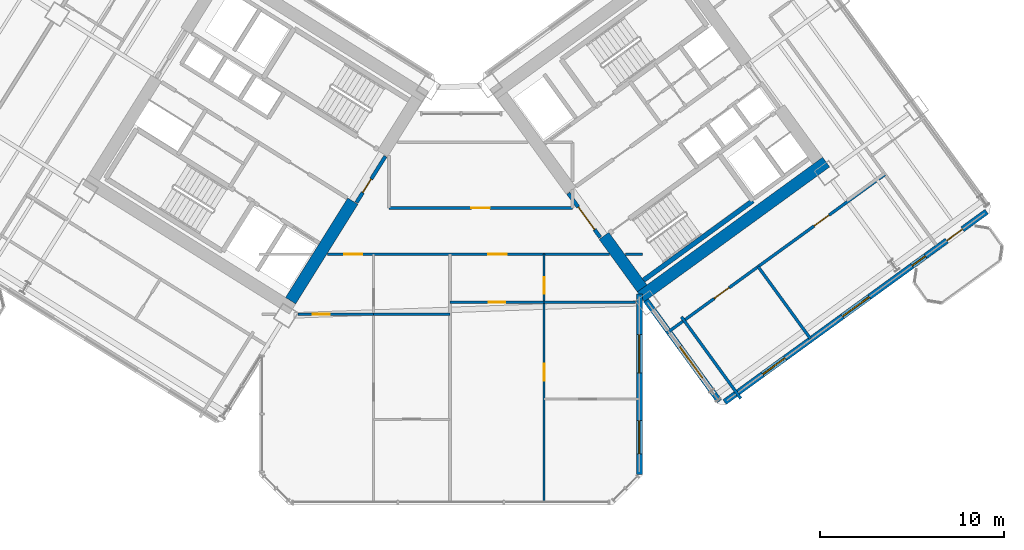
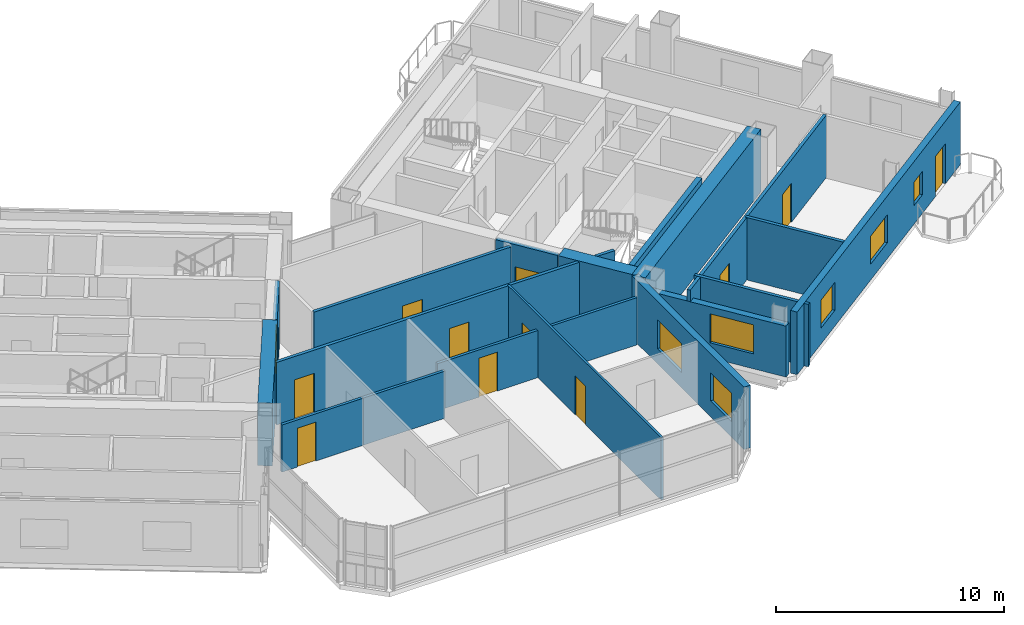
# One storey, part 17 of 28: 20 walls, 12 doors, 6 windows, 18 openings.
"""IFC4 building model written with IfcOpenShell, lengths in metres."""

from ifc_helpers import new_model, si_unit, direction, frame, frame_2d, origin, place, context, subcontext, project, spatial, rectangle, extrude, source, transform, mapped, material, layer, layer_set, type_object, element, fill, save


model = new_model("IFC4")

# Units and contexts
model_context = context("Model", 3, precision=1e-05, world=origin(), true_north=direction((0.0, 1.0)))
body_context = subcontext(model_context, "Body", "Model", "MODEL_VIEW")
ifc_project = project(units=[si_unit("LENGTHUNIT", "METRE"), si_unit("AREAUNIT", "SQUARE_METRE"), si_unit("VOLUMEUNIT", "CUBIC_METRE"), si_unit("PLANEANGLEUNIT", "RADIAN"), si_unit("MASSUNIT", "GRAM", prefix="KILO")], contexts=[model_context])

# Site, building, storey
site_placement = place(None, origin())
site = spatial("IfcSite", under=ifc_project, at=site_placement, CompositionType="ELEMENT")
building_placement = place(site_placement, origin())
building = spatial("IfcBuilding", under=site, at=building_placement, Name="Tlacorven Tower", CompositionType="ELEMENT")
storey_placement = place(building_placement, frame((0.0, 0.0, 34.800048828125)))
storey = spatial("IfcBuildingStorey", under=building, at=storey_placement, Name="L08", CompositionType="ELEMENT", Elevation=34.800048828125)

# Walls
ifc_material_1 = material(Name="Concrete C60/75", Category="concrete")
ifc_layer_1 = layer(ifc_material_1, 0.64990234375)
ifc_layer_set_1 = layer_set([ifc_layer_1], Name="Concrete C60/75")
wall_type_1 = type_object("IfcWallType", Name="WL-COR-650", PredefinedType="SHEAR", material=ifc_layer_set_1)
wall_1_placement = place(storey_placement, frame((36.683349609375, 18.30419921875, 0.0), z_axis=(0.0, 0.0, 1.0), x_axis=(-0.529899109053, -0.848060690178, 0.0)))
element("IfcWall", 1, at=wall_1_placement, inside=storey, type_object=wall_type_1, Name="L08 W core end wall E1.2", PredefinedType="SHEAR", context=body_context, shape_type="SweptSolid", body=[
    extrude(rectangle(XDim=6.375244140625, YDim=0.64990234375, at=frame_2d((3.1875, 0.0))), origin(), (0.0, 0.0, 1.0), 3.349853515625),
])
wall_2_placement = place(storey_placement, frame((52.318359375, 13.1103515625, 0.0), z_axis=(0.0, 0.0, 1.0), x_axis=(0.809019445368, 0.587781878776, 0.0)))
element("IfcWall", 2, at=wall_2_placement, inside=storey, type_object=wall_type_1, Name="L08 E core shear wall S1", PredefinedType="SHEAR", context=body_context, shape_type="SweptSolid", body=[
    extrude(rectangle(XDim=12.43994140625, YDim=0.64990234375, at=frame_2d((6.219970703125, 0.0))), origin(), (0.0, 0.0, 1.0), 3.349853515625),
])
wall_3_placement = place(storey_placement, frame((52.390380859375, 13.564208984375, 0.0), z_axis=(0.0, 0.0, 1.0), x_axis=(-0.58779688989, 0.809008539037, 0.0)))
element("IfcWall", 3, at=wall_3_placement, inside=storey, type_object=wall_type_1, Name="L08 E core end wall E1.1", PredefinedType="SHEAR", context=body_context, shape_type="SweptSolid", body=[
    extrude(rectangle(XDim=3.525146484375, YDim=0.64990234375, at=frame_2d((1.7626953125, 0.0))), origin(), (0.0, 0.0, 1.0), 3.349853515625),
])

# Wall, openings, doors
ifc_material_2 = material(Name="Gypsum plasterboard acoustic partition", Category="gypsum")
ifc_layer_2 = layer(ifc_material_2, 0.159912109375)
ifc_layer_set_2 = layer_set([ifc_layer_2], Name="Gypsum plasterboard acoustic partition")
wall_type_2 = type_object("IfcWallType", Name="WL-DEM-160", PredefinedType="PARTITIONING", material=ifc_layer_set_2)
wall_4_placement = place(storey_placement, frame((35.29638671875, 15.419921875, 0.0), z_axis=(0.0, 0.0, 1.0), x_axis=(1.0, 0.0, 0.0)))
wall_4 = element("IfcWall", 4, at=wall_4_placement, inside=storey, type_object=wall_type_2, Name="L08 Knuckle Corridor South Wall", PredefinedType="PARTITIONING", context=body_context, shape_type="SweptSolid", body=[
    extrude(rectangle(XDim=15.310546875, YDim=0.159912109375, at=frame_2d((7.6552734375, 0.0))), origin(), (0.0, 0.0, 1.0), 3.33984375),
])
opening_1_placement = place(wall_4_placement, frame((0.91015625, 0.0, 0.0)))
opening_1 = element("IfcOpeningElement", 5, at=opening_1_placement, cuts=wall_4, Name="Opening D11", PredefinedType="OPENING", context=body_context, shape_type="SweptSolid", body=[
    extrude(rectangle(XDim=1.0, YDim=2.10009765625, at=frame_2d((0.5, 1.050048828125))), frame((0.0, 0.08984375, 0.0), z_axis=(0.0, -1.0, 0.0), x_axis=(1.0, 0.0, 0.0)), (0.0, 0.0, 1.0), 0.179931640625),
])
opening_2_placement = place(wall_4_placement, frame((8.73974609375, 0.0, 0.0)))
opening_2 = element("IfcOpeningElement", 6, at=opening_2_placement, cuts=wall_4, Name="Opening D11", PredefinedType="OPENING", context=body_context, shape_type="SweptSolid", body=[
    extrude(rectangle(XDim=1.0, YDim=2.10009765625, at=frame_2d((0.5, 1.050048828125))), frame((0.0, 0.08984375, 0.0), z_axis=(0.0, -1.0, 0.0), x_axis=(1.0, 0.0, 0.0)), (0.0, 0.0, 1.0), 0.179931640625),
])
ifc_material_3 = material(Name="Fire-rated steel door assembly", Category="steel")
door_type_1 = type_object("IfcDoorType", Name="DR-FLT-FD60-1000", OperationType="NOTDEFINED", PredefinedType="DOOR", material=ifc_material_3)
shared_shape_1 = source(origin(), body_context, "Body", "SweptSolid", [
    extrude(rectangle(XDim=1.0, YDim=2.10009765625, at=frame_2d((0.5, 1.050048828125))), frame((0.0, 0.02490234375, 0.0), z_axis=(0.0, -1.0, 0.0), x_axis=(1.0, 0.0, 0.0)), (0.0, 0.0, 1.0), 0.050048828125),
])
door_1_placement = place(opening_1_placement, frame((1.0, 0.0, 0.0), z_axis=(0.0, 0.0, 1.0), x_axis=(-1.0, 0.0, 0.0)))
door_1 = element("IfcDoor", 7, at=door_1_placement, inside=storey, type_object=door_type_1, Name="L08 door 043", OperationType="SINGLE_SWING_LEFT", OverallHeight=2.10009765625, OverallWidth=1.0, PredefinedType="DOOR", context=body_context, shape_type="MappedRepresentation", body=[
    mapped(shared_shape_1, transform((0.0, 0.0, 0.0), scale=1.0)),
])
fill(opening_1, door_1)
door_2_placement = place(opening_2_placement, frame((1.0, 0.0, 0.0), z_axis=(0.0, 0.0, 1.0), x_axis=(-1.0, 0.0, 0.0)))
door_2 = element("IfcDoor", 8, at=door_2_placement, inside=storey, type_object=door_type_1, Name="L08 door 048", OperationType="SINGLE_SWING_RIGHT", OverallHeight=2.10009765625, OverallWidth=1.0, PredefinedType="DOOR", context=body_context, shape_type="MappedRepresentation", body=[
    mapped(shared_shape_1, transform((0.0, 0.0, 0.0), scale=1.0)),
])
fill(opening_2, door_2)

# Wall
wall_5_placement = place(storey_placement, frame((51.477294921875, 15.419921875, 0.0), z_axis=(0.0, 0.0, 1.0), x_axis=(1.0, 0.0, 0.0)))
element("IfcWall", 9, at=wall_5_placement, inside=storey, type_object=wall_type_2, Name="L08 Knuckle Corridor South Wall", PredefinedType="PARTITIONING", context=body_context, shape_type="SweptSolid", body=[
    extrude(rectangle(XDim=0.922607421875, YDim=0.159912109375, at=frame_2d((0.46142578125, 0.0))), origin(), (0.0, 0.0, 1.0), 3.33984375),
])

# Wall, opening, door
wall_6_placement = place(storey_placement, frame((38.64990234375, 17.929931640625, 0.0), z_axis=(0.0, 0.0, 1.0), x_axis=(1.0, 0.0, 0.0)))
wall_6 = element("IfcWall", 10, at=wall_6_placement, inside=storey, type_object=wall_type_2, Name="L08 partition 72", PredefinedType="PARTITIONING", context=body_context, shape_type="SweptSolid", body=[
    extrude(rectangle(XDim=9.9501953125, YDim=0.159912109375, at=frame_2d((4.97509765625, 0.0))), origin(), (0.0, 0.0, 1.0), 3.33984375),
])
opening_3_placement = place(wall_6_placement, frame((4.47509765625, 0.0, 0.0)))
opening_3 = element("IfcOpeningElement", 11, at=opening_3_placement, cuts=wall_6, Name="Opening D11", PredefinedType="OPENING", context=body_context, shape_type="SweptSolid", body=[
    extrude(rectangle(XDim=1.0, YDim=2.10009765625, at=frame_2d((0.5, 1.050048828125))), frame((0.0, 0.08984375, 0.0), z_axis=(0.0, -1.0, 0.0), x_axis=(1.0, 0.0, 0.0)), (0.0, 0.0, 1.0), 0.179931640625),
])
door_3_placement = place(opening_3_placement, origin())
door_3 = element("IfcDoor", 12, at=door_3_placement, inside=storey, type_object=door_type_1, Name="L08 door 038", OperationType="SINGLE_SWING_RIGHT", OverallHeight=2.10009765625, OverallWidth=1.0, PredefinedType="DOOR", context=body_context, shape_type="MappedRepresentation", body=[
    mapped(shared_shape_1, transform((0.0, 0.0, 0.0), scale=1.0)),
])
fill(opening_3, door_3)

# Wall, openings, doors
wall_7_placement = place(storey_placement, frame((53.70458984375, 11.1259765625, 0.0), z_axis=(0.0, 0.0, 1.0), x_axis=(0.809014504436, 0.587788679384, 0.0)))
wall_7 = element("IfcWall", 13, at=wall_7_placement, inside=storey, type_object=wall_type_2, Name="L08 partition 95", PredefinedType="PARTITIONING", context=body_context, shape_type="SweptSolid", body=[
    extrude(rectangle(XDim=14.669921875, YDim=0.159912109375, at=frame_2d((7.3349609375, 0.0))), origin(), (0.0, 0.0, 1.0), 3.33984375),
])
opening_4_placement = place(wall_7_placement, frame((3.215087890625, 0.0, 0.0)))
opening_4 = element("IfcOpeningElement", 14, at=opening_4_placement, cuts=wall_7, Name="Opening D11", PredefinedType="OPENING", context=body_context, shape_type="SweptSolid", body=[
    extrude(rectangle(XDim=1.0, YDim=2.10009765625, at=frame_2d((0.5, 1.050048828125))), frame((0.0, 0.08984375, 0.0), z_axis=(0.0, -1.0, 0.0), x_axis=(1.0, 0.0, 0.0)), (0.0, 0.0, 1.0), 0.179931640625),
])
opening_5_placement = place(wall_7_placement, frame((9.9150390625, 0.0, 0.0)))
opening_5 = element("IfcOpeningElement", 15, at=opening_5_placement, cuts=wall_7, Name="Opening D11", PredefinedType="OPENING", context=body_context, shape_type="SweptSolid", body=[
    extrude(rectangle(XDim=1.0, YDim=2.10009765625, at=frame_2d((0.5, 1.050048828125))), frame((0.0, 0.08984375, 0.0), z_axis=(0.0, -1.0, 0.0), x_axis=(1.0, 0.0, 0.0)), (0.0, 0.0, 1.0), 0.179931640625),
])
door_4_placement = place(opening_4_placement, origin())
door_4 = element("IfcDoor", 16, at=door_4_placement, inside=storey, type_object=door_type_1, Name="L08 door 056", OperationType="SINGLE_SWING_RIGHT", OverallHeight=2.10009765625, OverallWidth=1.0, PredefinedType="DOOR", context=body_context, shape_type="MappedRepresentation", body=[
    mapped(shared_shape_1, transform((0.0, 0.0, 0.0), scale=1.0)),
])
fill(opening_4, door_4)
door_5_placement = place(opening_5_placement, origin())
door_5 = element("IfcDoor", 17, at=door_5_placement, inside=storey, type_object=door_type_1, Name="L08 door 057", OperationType="SINGLE_SWING_LEFT", OverallHeight=2.10009765625, OverallWidth=1.0, PredefinedType="DOOR", context=body_context, shape_type="MappedRepresentation", body=[
    mapped(shared_shape_1, transform((0.0, 0.0, 0.0), scale=1.0)),
])
fill(opening_5, door_5)

# Walls
wall_8_placement = place(storey_placement, frame((57.747314453125, 7.586181640625, 0.0), z_axis=(0.0, 0.0, 1.0), x_axis=(-0.587784893399, 0.809017255126, 0.0)))
element("IfcWall", 18, at=wall_8_placement, inside=storey, type_object=wall_type_2, Name="L08 EC West Throat Wall", PredefinedType="PARTITIONING", context=body_context, shape_type="SweptSolid", body=[
    extrude(rectangle(XDim=5.480224609375, YDim=0.159912109375, at=frame_2d((2.740234375, 0.0))), origin(), (0.0, 0.0, 1.0), 3.33984375),
])
wall_9_placement = place(storey_placement, frame((61.538818359375, 10.822998046875, 0.0), z_axis=(0.0, 0.0, 1.0), x_axis=(-0.587785532001, 0.809016791155, 0.0)))
element("IfcWall", 19, at=wall_9_placement, inside=storey, type_object=wall_type_2, Name="L08 EC Demising Wall 1", PredefinedType="PARTITIONING", context=body_context, shape_type="SweptSolid", body=[
    extrude(rectangle(XDim=4.85009765625, YDim=0.159912109375, at=frame_2d((2.425048828125, 0.0))), origin(), (0.0, 0.0, 1.0), 3.33984375),
])

# Wall, openings, door, windows
ifc_material_4 = material(Name="Precast concrete C45/55", Category="concrete")
ifc_layer_3 = layer(ifc_material_4, 0.320068359375)
ifc_layer_set_3 = layer_set([ifc_layer_3], Name="Precast concrete C45/55")
wall_type_3 = type_object("IfcWallType", Name="WL-EXT-320", PredefinedType="STANDARD", material=ifc_layer_set_3)
wall_10_placement = place(storey_placement, frame((71.097900390625, 17.73095703125, 0.0), z_axis=(0.0, 0.0, 1.0), x_axis=(-0.809021120468, -0.587779573171, 0.0)))
wall_10 = element("IfcWall", 20, at=wall_10_placement, inside=storey, type_object=wall_type_3, Name="L08 Masonry-Frame Recessed Facade Wall 6", PredefinedType="STANDARD", context=body_context, shape_type="SweptSolid", body=[
    extrude(rectangle(XDim=17.587646484375, YDim=0.320068359375, at=frame_2d((8.7939453125, 0.0))), origin(), (0.0, 0.0, 1.0), 3.349853515625),
])
opening_6_placement = place(wall_10_placement, frame((1.623779296875, 0.0, 0.0)))
opening_6 = element("IfcOpeningElement", 21, at=opening_6_placement, cuts=wall_10, Name="Opening D06", PredefinedType="OPENING", context=body_context, shape_type="SweptSolid", body=[
    extrude(rectangle(XDim=1.050048828125, YDim=2.14990234375, at=frame_2d((0.52490234375, 1.074951171875))), frame((0.0, 0.169921875, 0.0), z_axis=(0.0, -1.0, 0.0), x_axis=(1.0, 0.0, 0.0)), (0.0, 0.0, 1.0), 0.340087890625),
])
opening_7_placement = place(wall_10_placement, frame((4.103759765625, 0.0, 1.0)))
opening_7 = element("IfcOpeningElement", 22, at=opening_7_placement, cuts=wall_10, Name="Opening WN05", PredefinedType="OPENING", context=body_context, shape_type="SweptSolid", body=[
    extrude(rectangle(XDim=0.89990234375, YDim=1.25, at=frame_2d((0.449951171875, 0.625))), frame((0.0, 0.169921875, 0.0), z_axis=(0.0, -1.0, 0.0), x_axis=(1.0, 0.0, 0.0)), (0.0, 0.0, 1.0), 0.340087890625),
])
opening_8_placement = place(wall_10_placement, frame((7.878662109375, 0.0, 0.85009765625)))
opening_8 = element("IfcOpeningElement", 23, at=opening_8_placement, cuts=wall_10, Name="Opening WN01", PredefinedType="OPENING", context=body_context, shape_type="SweptSolid", body=[
    extrude(rectangle(XDim=1.800048828125, YDim=1.5, at=frame_2d((0.89990234375, 0.75))), frame((0.0, 0.169921875, 0.0), z_axis=(0.0, -1.0, 0.0), x_axis=(1.0, 0.0, 0.0)), (0.0, 0.0, 1.0), 0.340087890625),
])
opening_9_placement = place(wall_10_placement, frame((13.52880859375, 0.0, 0.85009765625)))
opening_9 = element("IfcOpeningElement", 24, at=opening_9_placement, cuts=wall_10, Name="Opening WN02", PredefinedType="OPENING", context=body_context, shape_type="SweptSolid", body=[
    extrude(rectangle(XDim=1.5, YDim=1.5, at=frame_2d((0.75, 0.75))), frame((0.0, 0.169921875, 0.0), z_axis=(0.0, -1.0, 0.0), x_axis=(1.0, 0.0, 0.0)), (0.0, 0.0, 1.0), 0.340087890625),
])
ifc_material_5 = material(Name="Powder-coated aluminium and timber door", Category="wood")
door_type_2 = type_object("IfcDoorType", Name="DR-EXT-BALC-1050", OperationType="NOTDEFINED", PredefinedType="DOOR", material=ifc_material_5)
shared_shape_2 = source(origin(), body_context, "Body", "SweptSolid", [
    extrude(rectangle(XDim=1.050048828125, YDim=2.14990234375, at=frame_2d((0.52490234375, 1.074951171875))), frame((0.0, 0.02490234375, 0.0), z_axis=(0.0, -1.0, 0.0), x_axis=(1.0, 0.0, 0.0)), (0.0, 0.0, 1.0), 0.050048828125),
])
door_6_placement = place(opening_6_placement, origin())
door_6 = element("IfcDoor", 25, at=door_6_placement, inside=storey, type_object=door_type_2, Name="L08 Outdoor Access Door BAL-L08-E-OUT", OperationType="SINGLE_SWING_LEFT", OverallHeight=2.14990234375, OverallWidth=1.050048828125, PredefinedType="DOOR", context=body_context, shape_type="MappedRepresentation", body=[
    mapped(shared_shape_2, transform((0.0, 0.0, 0.0), scale=1.0)),
])
fill(opening_6, door_6)
ifc_material_6 = material(Name="Dark solar low-E double glazing in anodised aluminium frame", Category="aluminium")
window_type_1 = type_object("IfcWindowType", Name="WN-APT-1800X1650", PartitioningType="SINGLE_PANEL", PredefinedType="WINDOW", material=ifc_material_6)
shared_shape_3 = source(origin(), body_context, "Body", "SweptSolid", [
    extrude(rectangle(XDim=1.800048828125, YDim=1.5, at=frame_2d((0.89990234375, 0.75))), frame((0.0, 0.030029296875, 0.0), z_axis=(0.0, -1.0, 0.0), x_axis=(1.0, 0.0, 0.0)), (0.0, 0.0, 1.0), 0.06005859375),
])
window_1_placement = place(opening_8_placement, origin())
window_1 = element("IfcWindow", 26, at=window_1_placement, inside=storey, type_object=window_type_1, Name="L08 Recessed Masonry-Frame Window L08-06.2", OverallHeight=1.5, OverallWidth=1.800048828125, PartitioningType="SINGLE_PANEL", PredefinedType="WINDOW", context=body_context, shape_type="MappedRepresentation", body=[
    mapped(shared_shape_3, transform((0.0, 0.0, 0.0), scale=1.0)),
])
fill(opening_8, window_1)
window_type_2 = type_object("IfcWindowType", Name="WN-APT-1500X1650", PartitioningType="SINGLE_PANEL", PredefinedType="WINDOW", material=ifc_material_6)
shared_shape_4 = source(origin(), body_context, "Body", "SweptSolid", [
    extrude(rectangle(XDim=1.5, YDim=1.5, at=frame_2d((0.75, 0.75))), frame((0.0, 0.030029296875, 0.0), z_axis=(0.0, -1.0, 0.0), x_axis=(1.0, 0.0, 0.0)), (0.0, 0.0, 1.0), 0.06005859375),
])
window_2_placement = place(opening_9_placement, origin())
window_2 = element("IfcWindow", 27, at=window_2_placement, inside=storey, type_object=window_type_2, Name="L08 Recessed Masonry-Frame Window L08-06.3", OverallHeight=1.5, OverallWidth=1.5, PartitioningType="SINGLE_PANEL", PredefinedType="WINDOW", context=body_context, shape_type="MappedRepresentation", body=[
    mapped(shared_shape_4, transform((0.0, 0.0, 0.0), scale=1.0)),
])
fill(opening_9, window_2)
window_type_3 = type_object("IfcWindowType", Name="WN-APT-0900X1350", PartitioningType="SINGLE_PANEL", PredefinedType="WINDOW", material=ifc_material_6)
shared_shape_5 = source(origin(), body_context, "Body", "SweptSolid", [
    extrude(rectangle(XDim=0.89990234375, YDim=1.25, at=frame_2d((0.449951171875, 0.625))), frame((0.0, 0.030029296875, 0.0), z_axis=(0.0, -1.0, 0.0), x_axis=(1.0, 0.0, 0.0)), (0.0, 0.0, 1.0), 0.06005859375),
])
window_3_placement = place(opening_7_placement, origin())
window_3 = element("IfcWindow", 28, at=window_3_placement, inside=storey, type_object=window_type_3, Name="L08 Recessed Masonry-Frame Window L08-06.1", OverallHeight=1.25, OverallWidth=0.89990234375, PartitioningType="SINGLE_PANEL", PredefinedType="WINDOW", context=body_context, shape_type="MappedRepresentation", body=[
    mapped(shared_shape_5, transform((0.0, 0.0, 0.0), scale=1.0)),
])
fill(opening_7, window_3)

# Wall, opening, window
wall_11_placement = place(storey_placement, frame((56.5810546875, 7.43896484375, 0.0), z_axis=(0.0, 0.0, 1.0), x_axis=(-0.587785875463, 0.809016541614, 0.0)))
wall_11 = element("IfcWall", 29, at=wall_11_placement, inside=storey, type_object=wall_type_3, Name="L08 Masonry-Frame Recessed Facade Wall 7", PredefinedType="STANDARD", context=body_context, shape_type="SweptSolid", body=[
    extrude(rectangle(XDim=6.773681640625, YDim=0.320068359375, at=frame_2d((3.38671875, 0.0))), origin(), (0.0, 0.0, 1.0), 2.724853515625),
])
opening_10_placement = place(wall_11_placement, frame((1.55615234375, 0.0, 0.800048828125)))
opening_10 = element("IfcOpeningElement", 30, at=opening_10_placement, cuts=wall_11, Name="Opening WN04", PredefinedType="OPENING", context=body_context, shape_type="SweptSolid", body=[
    extrude(rectangle(XDim=2.10009765625, YDim=1.550048828125, at=frame_2d((1.050048828125, 0.77490234375))), frame((0.0, 0.169921875, 0.0), z_axis=(0.0, -1.0, 0.0), x_axis=(1.0, 0.0, 0.0)), (0.0, 0.0, 1.0), 0.340087890625),
])
window_type_4 = type_object("IfcWindowType", Name="WN-APT-2100X1750", PartitioningType="SINGLE_PANEL", PredefinedType="WINDOW", material=ifc_material_6)
shared_shape_6 = source(origin(), body_context, "Body", "SweptSolid", [
    extrude(rectangle(XDim=2.10009765625, YDim=1.550048828125, at=frame_2d((1.050048828125, 0.77490234375))), frame((0.0, 0.030029296875, 0.0), z_axis=(0.0, -1.0, 0.0), x_axis=(1.0, 0.0, 0.0)), (0.0, 0.0, 1.0), 0.06005859375),
])
window_4_placement = place(opening_10_placement, origin())
window_4 = element("IfcWindow", 31, at=window_4_placement, inside=storey, type_object=window_type_4, Name="L08 Recessed Masonry-Frame Window L08-07.1", OverallHeight=1.550048828125, OverallWidth=2.10009765625, PartitioningType="SINGLE_PANEL", PredefinedType="WINDOW", context=body_context, shape_type="MappedRepresentation", body=[
    mapped(shared_shape_6, transform((0.0, 0.0, 0.0), scale=1.0)),
])
fill(opening_10, window_4)

# Wall, openings, windows
wall_12_placement = place(storey_placement, frame((52.239990234375, 13.260986328125, 0.0), z_axis=(0.0, 0.0, 1.0), x_axis=(0.0, -1.0, 0.0)))
wall_12 = element("IfcWall", 32, at=wall_12_placement, inside=storey, type_object=wall_type_3, Name="L08 Masonry-Frame Recessed Facade Wall 8", PredefinedType="STANDARD", context=body_context, shape_type="SweptSolid", body=[
    extrude(rectangle(XDim=9.794677734375, YDim=0.320068359375, at=frame_2d((4.8974609375, 0.0))), origin(), (0.0, 0.0, 1.0), 3.349853515625),
])
opening_11_placement = place(wall_12_placement, frame((2.199462890625, 0.0, 0.800048828125)))
opening_11 = element("IfcOpeningElement", 33, at=opening_11_placement, cuts=wall_12, Name="Opening WN04", PredefinedType="OPENING", context=body_context, shape_type="SweptSolid", body=[
    extrude(rectangle(XDim=2.10009765625, YDim=1.550048828125, at=frame_2d((1.050048828125, 0.77490234375))), frame((0.0, 0.169921875, 0.0), z_axis=(0.0, -1.0, 0.0), x_axis=(1.0, 0.0, 0.0)), (0.0, 0.0, 1.0), 0.340087890625),
])
opening_12_placement = place(wall_12_placement, frame((6.880126953125, 0.0, 0.85009765625)))
opening_12 = element("IfcOpeningElement", 34, at=opening_12_placement, cuts=wall_12, Name="Opening WN01", PredefinedType="OPENING", context=body_context, shape_type="SweptSolid", body=[
    extrude(rectangle(XDim=1.800048828125, YDim=1.5, at=frame_2d((0.89990234375, 0.75))), frame((0.0, 0.169921875, 0.0), z_axis=(0.0, -1.0, 0.0), x_axis=(1.0, 0.0, 0.0)), (0.0, 0.0, 1.0), 0.340087890625),
])
window_5_placement = place(opening_11_placement, origin())
window_5 = element("IfcWindow", 35, at=window_5_placement, inside=storey, type_object=window_type_4, Name="L08 Recessed Masonry-Frame Window L08-08.1", OverallHeight=1.550048828125, OverallWidth=2.10009765625, PartitioningType="SINGLE_PANEL", PredefinedType="WINDOW", context=body_context, shape_type="MappedRepresentation", body=[
    mapped(shared_shape_6, transform((0.0, 0.0, 0.0), scale=1.0)),
])
fill(opening_11, window_5)
window_6_placement = place(opening_12_placement, origin())
window_6 = element("IfcWindow", 36, at=window_6_placement, inside=storey, type_object=window_type_1, Name="L08 Recessed Masonry-Frame Window L08-08.2", OverallHeight=1.5, OverallWidth=1.800048828125, PartitioningType="SINGLE_PANEL", PredefinedType="WINDOW", context=body_context, shape_type="MappedRepresentation", body=[
    mapped(shared_shape_3, transform((0.0, 0.0, 0.0), scale=1.0)),
])
fill(opening_12, window_6)

# Wall, openings, doors
ifc_material_7 = material(Name="Gypsum plasterboard partition", Category="gypsum")
ifc_layer_4 = layer(ifc_material_7, 0.110107421875)
ifc_layer_set_4 = layer_set([ifc_layer_4], Name="Gypsum plasterboard partition")
wall_type_4 = type_object("IfcWallType", Name="WL-INT-110", PredefinedType="PARTITIONING", material=ifc_layer_set_4)
wall_13_placement = place(storey_placement, frame((47.072021484375, 1.9599609375, 0.0), z_axis=(0.0, 0.0, 1.0), x_axis=(0.0, 1.0, 0.0)))
wall_13 = element("IfcWall", 37, at=wall_13_placement, inside=storey, type_object=wall_type_4, Name="L08 partition 82", PredefinedType="PARTITIONING", context=body_context, shape_type="SweptSolid", body=[
    extrude(rectangle(XDim=13.4599609375, YDim=0.110107421875, at=frame_2d((6.72998046875, 0.0))), origin(), (0.0, 0.0, 1.0), 3.33984375),
])
opening_13_placement = place(wall_13_placement, frame((6.60009765625, 0.0, 0.0)))
opening_13 = element("IfcOpeningElement", 38, at=opening_13_placement, cuts=wall_13, Name="Opening D12", PredefinedType="OPENING", context=body_context, shape_type="SweptSolid", body=[
    extrude(rectangle(XDim=0.919921875, YDim=2.080078125, at=frame_2d((0.4599609375, 1.0400390625))), frame((0.0, 0.06494140625, 0.0), z_axis=(0.0, -1.0, 0.0), x_axis=(1.0, 0.0, 0.0)), (0.0, 0.0, 1.0), 0.130126953125),
])
opening_14_placement = place(wall_13_placement, frame((11.320068359375, 0.0, 0.0)))
opening_14 = element("IfcOpeningElement", 39, at=opening_14_placement, cuts=wall_13, Name="Opening D13", PredefinedType="OPENING", context=body_context, shape_type="SweptSolid", body=[
    extrude(rectangle(XDim=0.8798828125, YDim=2.080078125, at=frame_2d((0.43994140625, 1.0400390625))), frame((0.0, 0.06494140625, 0.0), z_axis=(0.0, -1.0, 0.0), x_axis=(1.0, 0.0, 0.0)), (0.0, 0.0, 1.0), 0.130126953125),
])
door_type_3 = type_object("IfcDoorType", Name="DR-INT-WET-0880", OperationType="NOTDEFINED", PredefinedType="DOOR", material=ifc_material_5)
shared_shape_7 = source(origin(), body_context, "Body", "SweptSolid", [
    extrude(rectangle(XDim=0.8798828125, YDim=2.080078125, at=frame_2d((0.43994140625, 1.0400390625))), frame((0.0, 0.02490234375, 0.0), z_axis=(0.0, -1.0, 0.0), x_axis=(1.0, 0.0, 0.0)), (0.0, 0.0, 1.0), 0.050048828125),
])
door_7_placement = place(opening_14_placement, origin())
door_7 = element("IfcDoor", 40, at=door_7_placement, inside=storey, type_object=door_type_3, Name="L08 door 050", OperationType="SINGLE_SWING_RIGHT", OverallHeight=2.080078125, OverallWidth=0.8798828125, PredefinedType="DOOR", context=body_context, shape_type="MappedRepresentation", body=[
    mapped(shared_shape_7, transform((0.0, 0.0, 0.0), scale=1.0)),
])
fill(opening_14, door_7)
door_type_4 = type_object("IfcDoorType", Name="DR-INT-ROOM-0920", OperationType="NOTDEFINED", PredefinedType="DOOR", material=ifc_material_5)
shared_shape_8 = source(origin(), body_context, "Body", "SweptSolid", [
    extrude(rectangle(XDim=0.919921875, YDim=2.080078125, at=frame_2d((0.4599609375, 1.0400390625))), frame((0.0, 0.02490234375, 0.0), z_axis=(0.0, -1.0, 0.0), x_axis=(1.0, 0.0, 0.0)), (0.0, 0.0, 1.0), 0.050048828125),
])
door_8_placement = place(opening_13_placement, origin())
door_8 = element("IfcDoor", 41, at=door_8_placement, inside=storey, type_object=door_type_4, Name="L08 door 046", OperationType="SINGLE_SWING_RIGHT", OverallHeight=2.080078125, OverallWidth=0.919921875, PredefinedType="DOOR", context=body_context, shape_type="MappedRepresentation", body=[
    mapped(shared_shape_8, transform((0.0, 0.0, 0.0), scale=1.0)),
])
fill(opening_13, door_8)

# Wall, opening, door
ifc_material_8 = material(Name="Moisture-resistant gypsum plumbing wall", Category="gypsum")
ifc_layer_5 = layer(ifc_material_8, 0.139892578125)
ifc_layer_set_5 = layer_set([ifc_layer_5], Name="Moisture-resistant gypsum plumbing wall")
wall_type_5 = type_object("IfcWallType", Name="WL-PLM-140", PredefinedType="PLUMBINGWALL", material=ifc_layer_set_5)
wall_14_placement = place(storey_placement, frame((33.701904296875, 12.169921875, 0.0), z_axis=(0.0, 0.0, 1.0), x_axis=(1.0, 0.0, 0.0)))
wall_14 = element("IfcWall", 42, at=wall_14_placement, inside=storey, type_object=wall_type_5, Name="L08 partition 79", PredefinedType="PLUMBINGWALL", context=body_context, shape_type="SweptSolid", body=[
    extrude(rectangle(XDim=4.111083984375, YDim=0.139892578125, at=frame_2d((2.0556640625, 0.0))), origin(), (0.0, 0.0, 1.0), 2.52490234375),
])
opening_15_placement = place(wall_14_placement, frame((0.794677734375, 0.0, 0.0)))
opening_15 = element("IfcOpeningElement", 43, at=opening_15_placement, cuts=wall_14, Name="Opening D12", PredefinedType="OPENING", context=body_context, shape_type="SweptSolid", body=[
    extrude(rectangle(XDim=0.919921875, YDim=2.080078125, at=frame_2d((0.4599609375, 1.0400390625))), frame((0.0, 0.080078125, 0.0), z_axis=(0.0, -1.0, 0.0), x_axis=(1.0, 0.0, 0.0)), (0.0, 0.0, 1.0), 0.159912109375),
])
door_9_placement = place(opening_15_placement, frame((0.919921875, 0.0, 0.0), z_axis=(0.0, 0.0, 1.0), x_axis=(-1.0, 0.0, 0.0)))
door_9 = element("IfcDoor", 44, at=door_9_placement, inside=storey, type_object=door_type_4, Name="L08 door 044", OperationType="SINGLE_SWING_RIGHT", OverallHeight=2.080078125, OverallWidth=0.919921875, PredefinedType="DOOR", context=body_context, shape_type="MappedRepresentation", body=[
    mapped(shared_shape_8, transform((0.0, 0.0, 0.0), scale=1.0)),
])
fill(opening_15, door_9)

# Wall
wall_15_placement = place(storey_placement, frame((37.81298828125, 12.169921875, 0.0), z_axis=(0.0, 0.0, 1.0), x_axis=(1.0, 0.0, 0.0)))
element("IfcWall", 45, at=wall_15_placement, inside=storey, type_object=wall_type_5, Name="L08 partition 80", PredefinedType="PLUMBINGWALL", context=body_context, shape_type="SweptSolid", body=[
    extrude(rectangle(XDim=4.136962890625, YDim=0.139892578125, at=frame_2d((2.068359375, 0.0))), origin(), (0.0, 0.0, 1.0), 2.52490234375),
])

# Wall, opening, door
wall_16_placement = place(storey_placement, frame((41.949951171875, 12.820068359375, 0.0), z_axis=(0.0, 0.0, 1.0), x_axis=(1.0, 0.0, 0.0)))
wall_16 = element("IfcWall", 46, at=wall_16_placement, inside=storey, type_object=wall_type_5, Name="L08 partition 83", PredefinedType="PLUMBINGWALL", context=body_context, shape_type="SweptSolid", body=[
    extrude(rectangle(XDim=5.1220703125, YDim=0.139892578125, at=frame_2d((2.56103515625, 0.0))), origin(), (0.0, 0.0, 1.0), 2.52490234375),
])
opening_16_placement = place(wall_16_placement, frame((2.10107421875, 0.0, 0.0)))
opening_16 = element("IfcOpeningElement", 47, at=opening_16_placement, cuts=wall_16, Name="Opening D12", PredefinedType="OPENING", context=body_context, shape_type="SweptSolid", body=[
    extrude(rectangle(XDim=0.919921875, YDim=2.080078125, at=frame_2d((0.4599609375, 1.0400390625))), frame((0.0, 0.080078125, 0.0), z_axis=(0.0, -1.0, 0.0), x_axis=(1.0, 0.0, 0.0)), (0.0, 0.0, 1.0), 0.159912109375),
])
door_10_placement = place(opening_16_placement, frame((0.919921875, 0.0, 0.0), z_axis=(0.0, 0.0, 1.0), x_axis=(-1.0, 0.0, 0.0)))
door_10 = element("IfcDoor", 48, at=door_10_placement, inside=storey, type_object=door_type_4, Name="L08 door 049", OperationType="SINGLE_SWING_LEFT", OverallHeight=2.080078125, OverallWidth=0.919921875, PredefinedType="DOOR", context=body_context, shape_type="MappedRepresentation", body=[
    mapped(shared_shape_8, transform((0.0, 0.0, 0.0), scale=1.0)),
])
fill(opening_16, door_10)

# Wall
wall_17_placement = place(storey_placement, frame((47.072021484375, 12.820068359375, 0.0), z_axis=(0.0, 0.0, 1.0), x_axis=(1.0, 0.0, 0.0)))
element("IfcWall", 49, at=wall_17_placement, inside=storey, type_object=wall_type_5, Name="L08 partition 84", PredefinedType="PLUMBINGWALL", context=body_context, shape_type="SweptSolid", body=[
    extrude(rectangle(XDim=4.966552734375, YDim=0.139892578125, at=frame_2d((2.4833984375, 0.0))), origin(), (0.0, 0.0, 1.0), 2.52490234375),
])

# Wall, opening, door
ifc_material_9 = material(Name="Concrete C40/50", Category="concrete")
ifc_layer_6 = layer(ifc_material_9, 0.199951171875)
ifc_layer_set_6 = layer_set([ifc_layer_6], Name="Concrete C40/50")
wall_type_6 = type_object("IfcWallType", Name="WL-SHF-200", PredefinedType="STANDARD", material=ifc_layer_set_6)
wall_18_placement = place(storey_placement, frame((38.451416015625, 20.737060546875, 0.0), z_axis=(0.0, 0.0, 1.0), x_axis=(-0.529924799939, -0.848044637038, 0.0)))
wall_18 = element("IfcWall", 50, at=wall_18_placement, inside=storey, type_object=wall_type_6, Name="L08 partition 70", PredefinedType="STANDARD", context=body_context, shape_type="SweptSolid", body=[
    extrude(rectangle(XDim=2.9599609375, YDim=0.199951171875, at=frame_2d((1.47998046875, 0.0))), origin(), (0.0, 0.0, 1.0), 3.33984375),
])
opening_17_placement = place(wall_18_placement, frame((1.4599609375, 0.0, 0.0)))
opening_17 = element("IfcOpeningElement", 51, at=opening_17_placement, cuts=wall_18, Name="Opening D19", PredefinedType="OPENING", context=body_context, shape_type="SweptSolid", body=[
    extrude(rectangle(XDim=0.860107421875, YDim=2.050048828125, at=frame_2d((0.43017578125, 1.02490234375))), frame((0.0, 0.10986328125, 0.0), z_axis=(0.0, -1.0, 0.0), x_axis=(1.0, 0.0, 0.0)), (0.0, 0.0, 1.0), 0.219970703125),
])
door_type_5 = type_object("IfcDoorType", Name="DR-RSR-FD60-0860", OperationType="NOTDEFINED", PredefinedType="DOOR", material=ifc_material_3)
shared_shape_9 = source(origin(), body_context, "Body", "SweptSolid", [
    extrude(rectangle(XDim=0.860107421875, YDim=2.050048828125, at=frame_2d((0.43017578125, 1.02490234375))), frame((0.0, 0.02490234375, 0.0), z_axis=(0.0, -1.0, 0.0), x_axis=(1.0, 0.0, 0.0)), (0.0, 0.0, 1.0), 0.050048828125),
])
door_11_placement = place(opening_17_placement, frame((0.860107421875, 0.0, 0.0), z_axis=(0.0, 0.0, 1.0), x_axis=(-1.0, 0.0, 0.0)))
door_11 = element("IfcDoor", 52, at=door_11_placement, inside=storey, type_object=door_type_5, Name="L08 door 039", OperationType="SINGLE_SWING_LEFT", OverallHeight=2.050048828125, OverallWidth=0.860107421875, PredefinedType="DOOR", context=body_context, shape_type="MappedRepresentation", body=[
    mapped(shared_shape_9, transform((0.0, 0.0, 0.0), scale=1.0)),
])
fill(opening_17, door_11)

wall_19_placement = place(storey_placement, frame((50.119140625, 16.3330078125, 0.0), z_axis=(0.0, 0.0, 1.0), x_axis=(-0.587749856981, 0.809042709391, 0.0)))
wall_19 = element("IfcWall", 53, at=wall_19_placement, inside=storey, type_object=wall_type_6, Name="L08 partition 76", PredefinedType="STANDARD", context=body_context, shape_type="SweptSolid", body=[
    extrude(rectangle(XDim=2.9599609375, YDim=0.199951171875, at=frame_2d((1.47998046875, 0.0))), origin(), (0.0, 0.0, 1.0), 3.33984375),
])
opening_18_placement = place(wall_19_placement, frame((0.530029296875, 0.0, 0.0)))
opening_18 = element("IfcOpeningElement", 54, at=opening_18_placement, cuts=wall_19, Name="Opening D10", PredefinedType="OPENING", context=body_context, shape_type="SweptSolid", body=[
    extrude(rectangle(XDim=1.5, YDim=2.14990234375, at=frame_2d((0.75, 1.074951171875))), frame((0.0, 0.10986328125, 0.0), z_axis=(0.0, -1.0, 0.0), x_axis=(1.0, 0.0, 0.0)), (0.0, 0.0, 1.0), 0.219970703125),
])
door_type_6 = type_object("IfcDoorType", Name="DR-LOB-FD60-1500", OperationType="DOUBLE_DOOR_SINGLE_SWING", PredefinedType="DOOR", material=ifc_material_3)
shared_shape_10 = source(origin(), body_context, "Body", "SweptSolid", [
    extrude(rectangle(XDim=1.5, YDim=2.14990234375, at=frame_2d((0.75, 1.074951171875))), frame((0.0, 0.02490234375, 0.0), z_axis=(0.0, -1.0, 0.0), x_axis=(1.0, 0.0, 0.0)), (0.0, 0.0, 1.0), 0.050048828125),
])
door_12_placement = place(opening_18_placement, frame((1.5, 0.0, 0.0), z_axis=(0.0, 0.0, 1.0), x_axis=(-1.0, 0.0, 0.0)))
door_12 = element("IfcDoor", 55, at=door_12_placement, inside=storey, type_object=door_type_6, Name="L08 door 040", OperationType="DOUBLE_DOOR_SINGLE_SWING", OverallHeight=2.14990234375, OverallWidth=1.5, PredefinedType="DOOR", context=body_context, shape_type="MappedRepresentation", body=[
    mapped(shared_shape_10, transform((0.0, 0.0, 0.0), scale=1.0)),
])
fill(opening_18, door_12)

# Wall
ifc_material_10 = material(Name="Concrete C50/60", Category="concrete")
ifc_layer_7 = layer(ifc_material_10, 0.260009765625)
ifc_layer_set_7 = layer_set([ifc_layer_7], Name="Concrete C50/60")
wall_type_7 = type_object("IfcWallType", Name="WL-STW-260", PredefinedType="SHEAR", material=ifc_layer_set_7)
wall_20_placement = place(storey_placement, frame((52.47216796875, 14.01318359375, 0.0), z_axis=(0.0, 0.0, 1.0), x_axis=(0.809028366311, 0.587769599847, 0.0)))
element("IfcWall", 56, at=wall_20_placement, inside=storey, type_object=wall_type_7, Name="L08 Stair E2 Far Shear Wall", PredefinedType="SHEAR", context=body_context, shape_type="SweptSolid", body=[
    extrude(rectangle(XDim=7.330078125, YDim=0.260009765625, at=frame_2d((3.6650390625, 0.0))), origin(), (0.0, 0.0, 1.0), 3.349853515625),
])

save(model, "model.ifc")
